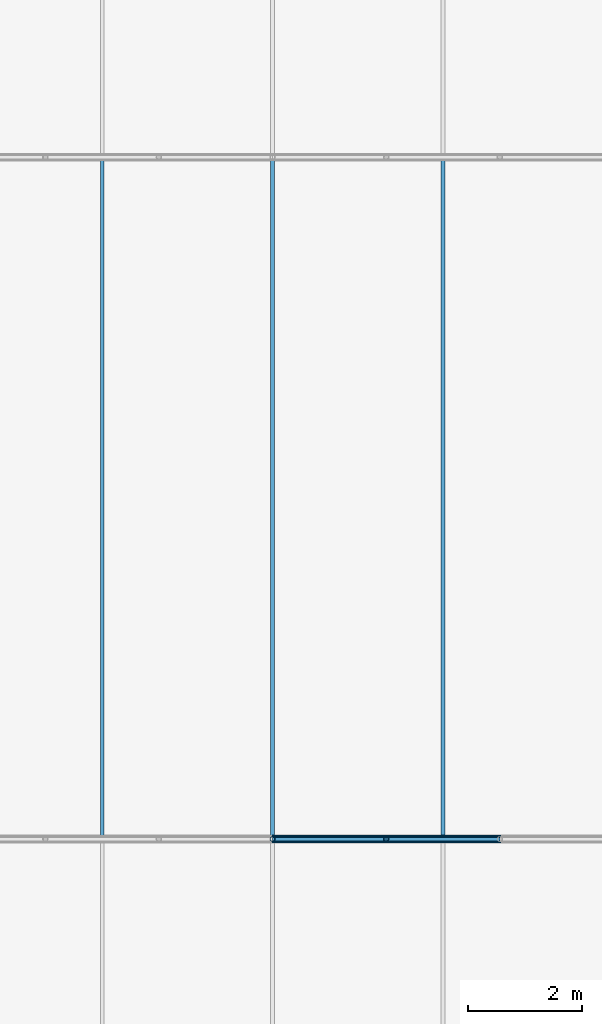
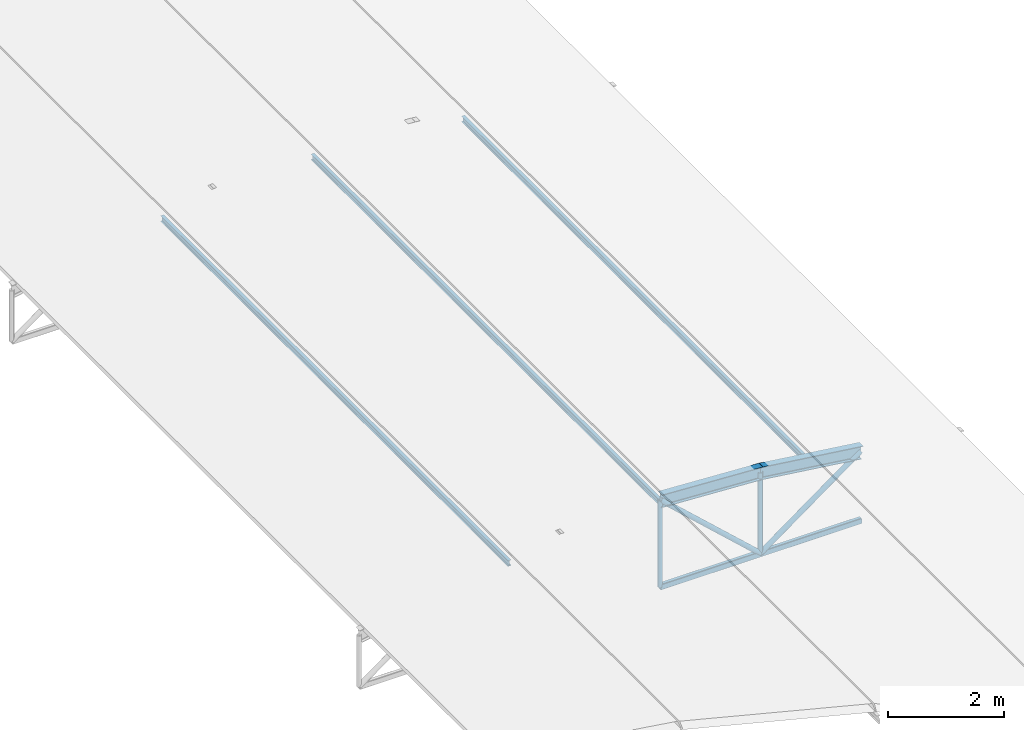
# One storey, part 29 of 54: 11 members.
"""IFC4 building model written with IfcOpenShell, lengths in metres."""

import ifcopenshell
import ifcopenshell.guid

model = None  # the IFC model being written
_history = None  # IfcOwnerHistory: only IFC2X3 demands one
_inside = {}  # id of a spatial element -> (the spatial element, [elements in it])
_under = {}  # id of a project, library or spatial element -> (it, [spatial elements below it])
_declared = {}  # id of a project -> (the project, [libraries it declares])
_typed = {}  # id of a type object -> (the type object, [elements of that type])
_made_of = {}  # id of a material, layer set ... -> (it, [elements and type objects made of it])


def new_model(schema):
    """Start an empty IFC model of exactly this schema.

    Asked for "IFC4X3", IfcOpenShell would pick the latest addendum, in which some entities
    have other attributes; the version numbers below select the first issue.
    IFC2X3 requires an IfcOwnerHistory on every rooted entity: one is made here for all.
    """
    global model, _history
    if schema == "IFC4X3":
        model = ifcopenshell.file(schema_version=(4, 3, 0, 0))
    else:
        model = ifcopenshell.file(schema=schema)
    _inside.clear()
    _under.clear()
    _declared.clear()
    _typed.clear()
    _made_of.clear()
    _history = None
    if model.schema == "IFC2X3":
        org = make("IfcOrganization", Name="unknown")
        user = make(
            "IfcPersonAndOrganization",
            ThePerson=make("IfcPerson", FamilyName="unknown"),
            TheOrganization=org,
        )
        app = make(
            "IfcApplication",
            ApplicationDeveloper=org,
            Version="unknown",
            ApplicationFullName="unknown",
            ApplicationIdentifier="unknown",
        )
        _history = make(
            "IfcOwnerHistory",
            OwningUser=user,
            OwningApplication=app,
            ChangeAction="ADDED",
            CreationDate=0,
        )
    return model


def make(cls, **values):
    """One entity of the class cls with the attributes given. An attribute that is None is left unset."""
    return model.create_entity(
        cls, **{name: value for name, value in values.items() if value is not None}
    )


def rooted(cls, **values):
    """An entity with a GlobalId (a new one), such as an element, a storey or a relation."""
    return make(cls, GlobalId=ifcopenshell.guid.new(), OwnerHistory=_history, **values)


def si_unit(unit_type, name, prefix=None):
    """IfcSIUnit, for example si_unit("LENGTHUNIT", "METRE", prefix="MILLI")."""
    return make("IfcSIUnit", UnitType=unit_type, Prefix=prefix, Name=name)


def derived_unit(unit_type, elements):
    """IfcDerivedUnit: a product of units, each with its exponent."""
    return make(
        "IfcDerivedUnit",
        Elements=[
            make("IfcDerivedUnitElement", Unit=unit, Exponent=power)
            for unit, power in elements
        ],
        UnitType=unit_type,
    )


def assignment(units):
    """IfcUnitAssignment: the units of a project."""
    return None if units is None else make("IfcUnitAssignment", Units=units)


def point(xyz):
    """IfcCartesianPoint."""
    return None if xyz is None else make("IfcCartesianPoint", Coordinates=xyz)


def direction(xyz):
    """IfcDirection."""
    return None if xyz is None else make("IfcDirection", DirectionRatios=xyz)


def frame(location, z_axis=None, x_axis=None):
    """IfcAxis2Placement3D, a coordinate frame: its origin and axes. An axis left out is left unset."""
    return make(
        "IfcAxis2Placement3D",
        Location=point(location),
        Axis=direction(z_axis),
        RefDirection=direction(x_axis),
    )


def frame_2d(location, x_axis=None):
    """IfcAxis2Placement2D, a coordinate frame in the plane: its origin and x axis."""
    return make(
        "IfcAxis2Placement2D", Location=point(location), RefDirection=direction(x_axis)
    )


def origin():
    """The frame at (0, 0, 0) with its axes left unset."""
    return frame((0.0, 0.0, 0.0))


def origin_2d():
    """The frame at (0, 0) in the plane with its x axis left unset."""
    return frame_2d((0.0, 0.0))


def place(relative_to, where):
    """IfcLocalPlacement: puts the frame where relative to a parent placement (None: the world)."""
    return make(
        "IfcLocalPlacement", PlacementRelTo=relative_to, RelativePlacement=where
    )


def context(
    kind, dimensions, precision=None, world=None, true_north=None, identifier=None
):
    """IfcGeometricRepresentationContext, for example the 3D "Model" context."""
    return make(
        "IfcGeometricRepresentationContext",
        ContextIdentifier=identifier,
        ContextType=kind,
        CoordinateSpaceDimension=dimensions,
        Precision=precision,
        WorldCoordinateSystem=world,
        TrueNorth=true_north,
    )


def subcontext(parent, identifier, kind, view, scale=None):
    """IfcGeometricRepresentationSubContext, for example "Body" below "Model"."""
    return make(
        "IfcGeometricRepresentationSubContext",
        ContextIdentifier=identifier,
        ContextType=kind,
        ParentContext=parent,
        TargetScale=scale,
        TargetView=view,
    )


def project(units=None, contexts=None):
    """IfcProject with its units and contexts."""
    return rooted(
        "IfcProject",
        Name="project",
        RepresentationContexts=contexts,
        UnitsInContext=assignment(units),
    )


def spatial(cls, under=None, at=None, **own):
    """A site, building, storey or space (cls), placed at a placement, below another one or the project."""
    s = rooted(cls, ObjectPlacement=at, **own)
    if under is not None:
        _under.setdefault(under.id(), (under, []))[1].append(s)
    return s


def profile(cls, at=None, kind="AREA", **sizes):
    """A parametric profile (cls). Its sizes go by their IFC names, for example OverallWidth=200.0."""
    return make(cls, ProfileType=kind, Position=at, **sizes)


def hollow_rectangle(**sizes):
    """IfcRectangleHollowProfileDef."""
    return profile("IfcRectangleHollowProfileDef", **sizes)


def hollow_circle(**sizes):
    """IfcCircleHollowProfileDef."""
    return profile("IfcCircleHollowProfileDef", **sizes)


def i_section(**sizes):
    """IfcIShapeProfileDef."""
    return profile("IfcIShapeProfileDef", **sizes)


def extrude(swept, where, along, depth):
    """IfcExtrudedAreaSolid: the profile swept, set in the frame where, extruded along a direction by depth."""
    return make(
        "IfcExtrudedAreaSolid",
        SweptArea=swept,
        Position=where,
        ExtrudedDirection=direction(along),
        Depth=depth,
    )


def shape(context_of_items, identifier, shape_type, items):
    """IfcShapeRepresentation: the items that make up one representation, for example the "Body"."""
    return make(
        "IfcShapeRepresentation",
        ContextOfItems=context_of_items,
        RepresentationIdentifier=identifier,
        RepresentationType=shape_type,
        Items=items,
    )


def material(Name=None, Category=None):
    """IfcMaterial."""
    return make("IfcMaterial", Name=Name, Category=Category)


def material_profile(
    of_material, cross_section, Name=None, Category=None, Priority=None
):
    """IfcMaterialProfile: a cross section and its material."""
    return make(
        "IfcMaterialProfile",
        Name=Name,
        Material=of_material,
        Profile=cross_section,
        Priority=Priority,
        Category=Category,
    )


def profile_set(profiles, Name=None, composite=None):
    """IfcMaterialProfileSet."""
    return make(
        "IfcMaterialProfileSet",
        Name=Name,
        MaterialProfiles=profiles,
        CompositeProfile=composite,
    )


def made_of(thing, what):
    """Note that an element or type object is made of a material, layer set ...; save() writes the relation."""
    if what is not None:
        _made_of.setdefault(what.id(), (what, []))[1].append(thing)
    return thing


def type_object(cls, material=None, **own):
    """A type object (cls), such as IfcWallType, which elements share."""
    return made_of(rooted(cls, **own), material)


def element(
    cls,
    number,
    at=None,
    inside=None,
    cuts=None,
    type_object=None,
    material=None,
    context=None,
    identifier="Body",
    shape_type=None,
    held_by="IfcProductDefinitionShape",
    body=None,
    shapes=None,
    **own,
):
    """One element of the class cls, such as IfcWall. Its Tag is "e" and its number.

    at: its placement. inside: the storey or other place that contains it. cuts: it is an
    opening in that element (IfcRelVoidsElement). A single representation is given by context,
    identifier, shape_type and body (its items); several are given by shapes. held_by: the class
    of the entity that holds the representations. save() writes the other relations.
    """
    e = rooted(cls, Tag="e%d" % number, ObjectPlacement=at, **own)
    if body is not None:
        shapes = [shape(context, identifier, shape_type, body)]
    if shapes is not None:
        e.Representation = make(held_by, Representations=shapes)
    if inside is not None:
        _inside.setdefault(inside.id(), (inside, []))[1].append(e)
    if cuts is not None:
        rooted(
            "IfcRelVoidsElement", RelatingBuildingElement=cuts, RelatedOpeningElement=e
        )
    if type_object is not None:
        _typed.setdefault(type_object.id(), (type_object, []))[1].append(e)
    return made_of(e, material)


def aggregate(whole, parts):
    """IfcRelAggregates: a whole, such as a stair, and the parts it consists of."""
    return rooted("IfcRelAggregates", RelatingObject=whole, RelatedObjects=parts)


def save(model, path):
    """Write the relations noted so far, then the file.

    IfcRelAggregates (storeys below a building ...), IfcRelContainedInSpatialStructure (elements
    in a storey), IfcRelDefinesByType, IfcRelAssociatesMaterial and IfcRelDeclares: one each for
    every whole, place, type object, material and project.
    """
    for whole, parts in _under.values():
        aggregate(whole, parts)
    for where, things in _inside.values():
        rooted(
            "IfcRelContainedInSpatialStructure",
            RelatedElements=things,
            RelatingStructure=where,
        )
    for kind, things in _typed.values():
        rooted("IfcRelDefinesByType", RelatedObjects=things, RelatingType=kind)
    for what, things in _made_of.values():
        rooted("IfcRelAssociatesMaterial", RelatedObjects=things, RelatingMaterial=what)
    for by, libraries in _declared.values():
        rooted("IfcRelDeclares", RelatingContext=by, RelatedDefinitions=libraries)
    model.write(path)


model = new_model("IFC4")

# Units and contexts
model_context = context("Model", 3, precision=1e-05, world=origin(), true_north=direction((0.0, 1.0)))
body_context = subcontext(model_context, "Body", "Model", "MODEL_VIEW")
ifc_project = project(units=[si_unit("LENGTHUNIT", "METRE"), si_unit("AREAUNIT", "SQUARE_METRE"), si_unit("VOLUMEUNIT", "CUBIC_METRE"), si_unit("PLANEANGLEUNIT", "RADIAN"), si_unit("MASSUNIT", "GRAM", prefix="KILO"), derived_unit("THERMALTRANSMITTANCEUNIT", [(si_unit("POWERUNIT", "WATT"), 1), (si_unit("LENGTHUNIT", "METRE"), -2), (si_unit("THERMODYNAMICTEMPERATUREUNIT", "KELVIN"), -1)])], contexts=[model_context])

# Site, building, storey
site_placement = place(None, origin())
site = spatial("IfcSite", under=ifc_project, at=site_placement, CompositionType="ELEMENT")
building_placement = place(site_placement, origin())
building = spatial("IfcBuilding", under=site, at=building_placement, Name="Keldorne Ridge Multi-Sports Centre", CompositionType="ELEMENT")
storey_placement = place(building_placement, frame((0.0, 0.0, 22.199951171875)))
storey = spatial("IfcBuildingStorey", under=building, at=storey_placement, Name="ROOF", CompositionType="ELEMENT", Elevation=22.199951171875)

# Members
ifc_material = material(Name="Steel S355", Category="steel")
ifc_material_profile_1 = material_profile(ifc_material, i_section(OverallWidth=0.06396484375, OverallDepth=0.1201171875, WebThickness=0.00439453125, FlangeThickness=0.00634765625, FilletRadius=0.007080078125, at=origin_2d()), Name="IPE 120")
ifc_profile_set_1 = profile_set([ifc_material_profile_1], Name="Steel S355")
member_type_1 = type_object("IfcMemberType", Name="MEM-PR-05", PredefinedType="PURLIN", material=ifc_profile_set_1)
for number, where, z_axis, x_axis, name in (
    (1, (87.0, 54.0, -12.179931640625), (0.0, 1.0, 0.0), (-1.0, 0.0, 0.0), "Public Passage canopy purlin 87.7"),
    (2, (90.0, 54.0, -11.929931640625), (0.0, 1.0, 0.0), (-1.0, 0.0, 0.0), "Public Passage canopy purlin 90.7"),
    (3, (93.0, 54.0, -12.179931640625), (0.0, 1.0, 0.0), (-1.0, 0.0, 0.0), "Public Passage canopy purlin 93.7"),
):
    element("IfcMember", number, at=place(storey_placement, frame(where, z_axis=z_axis, x_axis=x_axis)), inside=storey, type_object=member_type_1, Name=name, PredefinedType="PURLIN", context=body_context, shape_type="SweptSolid", body=[
        extrude(i_section(OverallWidth=0.06396484375, OverallDepth=0.1201171875, WebThickness=0.00439453125, FlangeThickness=0.00634765625, FilletRadius=0.007080078125, at=origin_2d()), origin(), (0.0, 0.0, 1.0), 12.0),
    ])
ifc_material_profile_2 = material_profile(ifc_material, i_section(OverallWidth=0.135009765625, OverallDepth=0.27001953125, WebThickness=0.006591796875, FlangeThickness=0.01025390625, FilletRadius=0.014892578125, at=origin_2d()), Name="IPE 270")
ifc_profile_set_2 = profile_set([ifc_material_profile_2], Name="Steel S355")
member_type_2 = type_object("IfcMemberType", Name="MEM-RF-02", PredefinedType="RAFTER", material=ifc_profile_set_2)
member_1_placement = place(storey_placement, frame((90.0, 54.0, -11.889892578125), z_axis=(0.998487980686, 0.0, -0.054970468663), x_axis=(0.0, 1.0, 0.0)))
element("IfcMember", 4, at=member_1_placement, inside=storey, type_object=member_type_2, Name="Public Passage bowstring arch top chord 07.4", PredefinedType="RAFTER", context=body_context, shape_type="SweptSolid", body=[
    extrude(i_section(OverallWidth=0.135009765625, OverallDepth=0.27001953125, WebThickness=0.006591796875, FlangeThickness=0.01025390625, FilletRadius=0.014892578125, at=origin_2d()), origin(), (0.0, 0.0, 1.0), 2.0029296875),
])
member_2_placement = place(storey_placement, frame((92.0, 54.0, -12.0), z_axis=(0.991654998325, 0.0, -0.128919991848), x_axis=(0.0, 1.0, 0.0)))
element("IfcMember", 5, at=member_2_placement, inside=storey, type_object=member_type_2, Name="Public Passage bowstring arch top chord 07.5", PredefinedType="RAFTER", context=body_context, shape_type="SweptSolid", body=[
    extrude(i_section(OverallWidth=0.135009765625, OverallDepth=0.27001953125, WebThickness=0.006591796875, FlangeThickness=0.01025390625, FilletRadius=0.014892578125, at=origin_2d()), origin(), (0.0, 0.0, 1.0), 2.016845703125),
])
ifc_material_profile_3 = material_profile(ifc_material, hollow_rectangle(XDim=0.080078125, YDim=0.1201171875, WallThickness=0.008056640625, InnerFilletRadius=0.008056640625, OuterFilletRadius=0.01611328125, at=origin_2d()), Name="RHS 120x80x8")
ifc_profile_set_3 = profile_set([ifc_material_profile_3], Name="Steel S355")
member_type_3 = type_object("IfcMemberType", Name="MEM-TC-07", PredefinedType="CHORD", material=ifc_profile_set_3)
for number, where, z_axis, x_axis, name in (
    (6, (90.0, 54.0, -13.719970703125), (1.0, 0.0, 0.0), (0.0, 1.0, 0.0), "Public Passage bowstring tie chord 07.4"),
    (7, (92.0, 54.0, -13.719970703125), (1.0, 0.0, 0.0), (0.0, 1.0, 0.0), "Public Passage bowstring tie chord 07.5"),
):
    element("IfcMember", number, at=place(storey_placement, frame(where, z_axis=z_axis, x_axis=x_axis)), inside=storey, type_object=member_type_3, Name=name, PredefinedType="CHORD", context=body_context, shape_type="SweptSolid", body=[
        extrude(hollow_rectangle(XDim=0.080078125, YDim=0.1201171875, WallThickness=0.008056640625, InnerFilletRadius=0.008056640625, OuterFilletRadius=0.01611328125, at=origin_2d()), origin(), (0.0, 0.0, 1.0), 2.0),
    ])
ifc_material_profile_4 = material_profile(ifc_material, hollow_circle(Radius=0.05078125, WallThickness=0.00634765625, at=origin_2d()), Name="CHS 101.6x6.3")
ifc_profile_set_4 = profile_set([ifc_material_profile_4], Name="Steel S355")
member_type_4 = type_object("IfcMemberType", Name="MEM-TD-05", PredefinedType="BRACE", material=ifc_profile_set_4)
member_3_placement = place(storey_placement, frame((90.0, 54.0, -11.889892578125), z_axis=(0.737751969913, 0.0, -0.675071870907), x_axis=(0.0, 1.0, 0.0)))
element("IfcMember", 8, at=member_3_placement, inside=storey, type_object=member_type_4, Name="Public Passage bowstring web diagonal 07.4", PredefinedType="BRACE", context=body_context, shape_type="SweptSolid", body=[
    extrude(hollow_circle(Radius=0.05078125, WallThickness=0.00634765625, at=origin_2d()), origin(), (0.0, 0.0, 1.0), 2.7109375),
])
member_4_placement = place(storey_placement, frame((92.0, 54.0, -13.719970703125), z_axis=(0.8076945033, 0.0, 0.589601212125), x_axis=(0.0, 1.0, 0.0)))
element("IfcMember", 9, at=member_4_placement, inside=storey, type_object=member_type_4, Name="Public Passage bowstring web diagonal 07.5", PredefinedType="BRACE", context=body_context, shape_type="SweptSolid", body=[
    extrude(hollow_circle(Radius=0.05078125, WallThickness=0.00634765625, at=origin_2d()), origin(), (0.0, 0.0, 1.0), 2.47607421875),
])
ifc_material_profile_5 = material_profile(ifc_material, hollow_circle(Radius=0.04443359375, WallThickness=0.0048828125, at=origin_2d()), Name="CHS 88.9x5")
ifc_profile_set_5 = profile_set([ifc_material_profile_5], Name="Steel S355")
member_type_5 = type_object("IfcMemberType", Name="MEM-TV-07", PredefinedType="STRUT", material=ifc_profile_set_5)
member_5_placement = place(storey_placement, frame((90.0, 54.0, -13.719970703125), z_axis=(0.0, 0.0, 1.0), x_axis=(1.0, 0.0, 0.0)))
element("IfcMember", 10, at=member_5_placement, inside=storey, type_object=member_type_5, Name="Public Passage bowstring hanger 07.4", PredefinedType="STRUT", context=body_context, shape_type="SweptSolid", body=[
    extrude(hollow_circle(Radius=0.04443359375, WallThickness=0.0048828125, at=origin_2d()), origin(), (0.0, 0.0, 1.0), 1.830078125),
])
member_6_placement = place(storey_placement, frame((92.0, 54.0, -13.719970703125), z_axis=(0.0, 0.0, 1.0), x_axis=(1.0, 0.0, 0.0)))
element("IfcMember", 11, at=member_6_placement, inside=storey, type_object=member_type_5, Name="Public Passage bowstring hanger 07.5", PredefinedType="STRUT", context=body_context, shape_type="SweptSolid", body=[
    extrude(hollow_circle(Radius=0.04443359375, WallThickness=0.0048828125, at=origin_2d()), origin(), (0.0, 0.0, 1.0), 1.719970703125),
])

save(model, "model.ifc")
